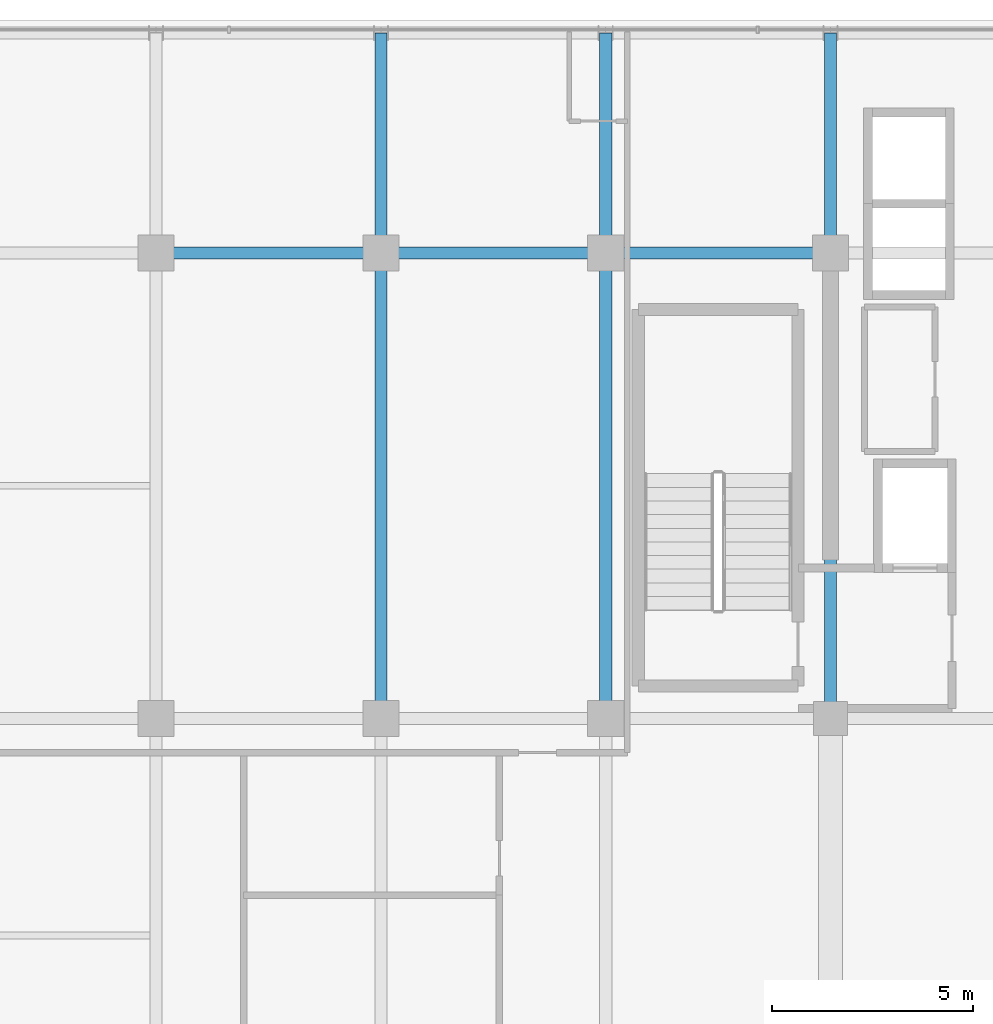
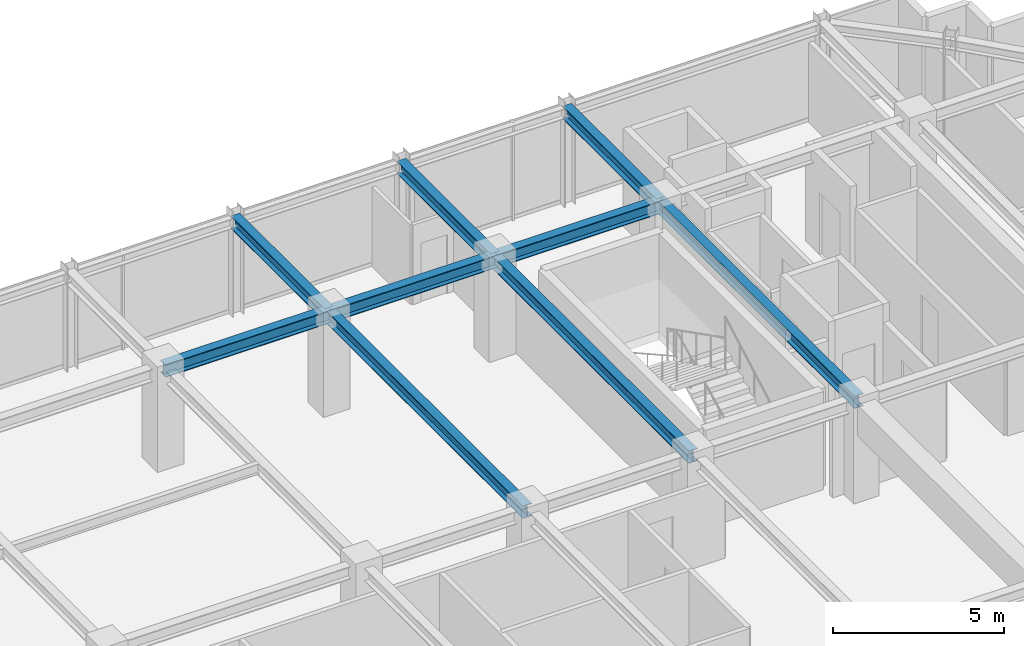
# One storey, part 18 of 32: 9 beams.
"""IFC4 building model written with IfcOpenShell, lengths in metres."""

import ifcopenshell
import ifcopenshell.guid

model = None  # the IFC model being written
_history = None  # IfcOwnerHistory: only IFC2X3 demands one
_inside = {}  # id of a spatial element -> (the spatial element, [elements in it])
_under = {}  # id of a project, library or spatial element -> (it, [spatial elements below it])
_declared = {}  # id of a project -> (the project, [libraries it declares])
_typed = {}  # id of a type object -> (the type object, [elements of that type])
_made_of = {}  # id of a material, layer set ... -> (it, [elements and type objects made of it])


def new_model(schema):
    """Start an empty IFC model of exactly this schema.

    Asked for "IFC4X3", IfcOpenShell would pick the latest addendum, in which some entities
    have other attributes; the version numbers below select the first issue.
    IFC2X3 requires an IfcOwnerHistory on every rooted entity: one is made here for all.
    """
    global model, _history
    if schema == "IFC4X3":
        model = ifcopenshell.file(schema_version=(4, 3, 0, 0))
    else:
        model = ifcopenshell.file(schema=schema)
    _inside.clear()
    _under.clear()
    _declared.clear()
    _typed.clear()
    _made_of.clear()
    _history = None
    if model.schema == "IFC2X3":
        org = make("IfcOrganization", Name="unknown")
        user = make(
            "IfcPersonAndOrganization",
            ThePerson=make("IfcPerson", FamilyName="unknown"),
            TheOrganization=org,
        )
        app = make(
            "IfcApplication",
            ApplicationDeveloper=org,
            Version="unknown",
            ApplicationFullName="unknown",
            ApplicationIdentifier="unknown",
        )
        _history = make(
            "IfcOwnerHistory",
            OwningUser=user,
            OwningApplication=app,
            ChangeAction="ADDED",
            CreationDate=0,
        )
    return model


def make(cls, **values):
    """One entity of the class cls with the attributes given. An attribute that is None is left unset."""
    return model.create_entity(
        cls, **{name: value for name, value in values.items() if value is not None}
    )


def rooted(cls, **values):
    """An entity with a GlobalId (a new one), such as an element, a storey or a relation."""
    return make(cls, GlobalId=ifcopenshell.guid.new(), OwnerHistory=_history, **values)


def si_unit(unit_type, name, prefix=None):
    """IfcSIUnit, for example si_unit("LENGTHUNIT", "METRE", prefix="MILLI")."""
    return make("IfcSIUnit", UnitType=unit_type, Prefix=prefix, Name=name)


def assignment(units):
    """IfcUnitAssignment: the units of a project."""
    return None if units is None else make("IfcUnitAssignment", Units=units)


def point(xyz):
    """IfcCartesianPoint."""
    return None if xyz is None else make("IfcCartesianPoint", Coordinates=xyz)


def direction(xyz):
    """IfcDirection."""
    return None if xyz is None else make("IfcDirection", DirectionRatios=xyz)


def frame(location, z_axis=None, x_axis=None):
    """IfcAxis2Placement3D, a coordinate frame: its origin and axes. An axis left out is left unset."""
    return make(
        "IfcAxis2Placement3D",
        Location=point(location),
        Axis=direction(z_axis),
        RefDirection=direction(x_axis),
    )


def frame_2d(location, x_axis=None):
    """IfcAxis2Placement2D, a coordinate frame in the plane: its origin and x axis."""
    return make(
        "IfcAxis2Placement2D", Location=point(location), RefDirection=direction(x_axis)
    )


def origin():
    """The frame at (0, 0, 0) with its axes left unset."""
    return frame((0.0, 0.0, 0.0))


def origin_2d():
    """The frame at (0, 0) in the plane with its x axis left unset."""
    return frame_2d((0.0, 0.0))


def place(relative_to, where):
    """IfcLocalPlacement: puts the frame where relative to a parent placement (None: the world)."""
    return make(
        "IfcLocalPlacement", PlacementRelTo=relative_to, RelativePlacement=where
    )


def context(
    kind, dimensions, precision=None, world=None, true_north=None, identifier=None
):
    """IfcGeometricRepresentationContext, for example the 3D "Model" context."""
    return make(
        "IfcGeometricRepresentationContext",
        ContextIdentifier=identifier,
        ContextType=kind,
        CoordinateSpaceDimension=dimensions,
        Precision=precision,
        WorldCoordinateSystem=world,
        TrueNorth=true_north,
    )


def subcontext(parent, identifier, kind, view, scale=None):
    """IfcGeometricRepresentationSubContext, for example "Body" below "Model"."""
    return make(
        "IfcGeometricRepresentationSubContext",
        ContextIdentifier=identifier,
        ContextType=kind,
        ParentContext=parent,
        TargetScale=scale,
        TargetView=view,
    )


def project(units=None, contexts=None):
    """IfcProject with its units and contexts."""
    return rooted(
        "IfcProject",
        Name="project",
        RepresentationContexts=contexts,
        UnitsInContext=assignment(units),
    )


def spatial(cls, under=None, at=None, **own):
    """A site, building, storey or space (cls), placed at a placement, below another one or the project."""
    s = rooted(cls, ObjectPlacement=at, **own)
    if under is not None:
        _under.setdefault(under.id(), (under, []))[1].append(s)
    return s


def profile(cls, at=None, kind="AREA", **sizes):
    """A parametric profile (cls). Its sizes go by their IFC names, for example OverallWidth=200.0."""
    return make(cls, ProfileType=kind, Position=at, **sizes)


def i_section(**sizes):
    """IfcIShapeProfileDef."""
    return profile("IfcIShapeProfileDef", **sizes)


def extrude(swept, where, along, depth):
    """IfcExtrudedAreaSolid: the profile swept, set in the frame where, extruded along a direction by depth."""
    return make(
        "IfcExtrudedAreaSolid",
        SweptArea=swept,
        Position=where,
        ExtrudedDirection=direction(along),
        Depth=depth,
    )


def shape(context_of_items, identifier, shape_type, items):
    """IfcShapeRepresentation: the items that make up one representation, for example the "Body"."""
    return make(
        "IfcShapeRepresentation",
        ContextOfItems=context_of_items,
        RepresentationIdentifier=identifier,
        RepresentationType=shape_type,
        Items=items,
    )


def source(mapping_origin, context_of_items, identifier, shape_type, items):
    """IfcRepresentationMap: a shape defined once, which mapped items show again and again."""
    return make(
        "IfcRepresentationMap",
        MappingOrigin=mapping_origin,
        MappedRepresentation=shape(context_of_items, identifier, shape_type, items),
    )


def transform(
    local_origin,
    x_axis=None,
    y_axis=None,
    z_axis=None,
    scale=None,
    scale2=None,
    scale3=None,
    uniform=True,
):
    """IfcCartesianTransformationOperator3D, or its non-uniform kind. x_axis, y_axis, z_axis: its Axis1, 2, 3."""
    if uniform:
        return make(
            "IfcCartesianTransformationOperator3D",
            Axis1=direction(x_axis),
            Axis2=direction(y_axis),
            LocalOrigin=point(local_origin),
            Scale=scale,
            Axis3=direction(z_axis),
        )
    return make(
        "IfcCartesianTransformationOperator3DnonUniform",
        Axis1=direction(x_axis),
        Axis2=direction(y_axis),
        LocalOrigin=point(local_origin),
        Scale=scale,
        Axis3=direction(z_axis),
        Scale2=scale2,
        Scale3=scale3,
    )


def mapped(mapping_source, mapping_target):
    """IfcMappedItem: shows the shape of a source again, moved by a transform."""
    return make(
        "IfcMappedItem", MappingSource=mapping_source, MappingTarget=mapping_target
    )


def material(Name=None, Category=None):
    """IfcMaterial."""
    return make("IfcMaterial", Name=Name, Category=Category)


def material_profile(
    of_material, cross_section, Name=None, Category=None, Priority=None
):
    """IfcMaterialProfile: a cross section and its material."""
    return make(
        "IfcMaterialProfile",
        Name=Name,
        Material=of_material,
        Profile=cross_section,
        Priority=Priority,
        Category=Category,
    )


def profile_set(profiles, Name=None, composite=None):
    """IfcMaterialProfileSet."""
    return make(
        "IfcMaterialProfileSet",
        Name=Name,
        MaterialProfiles=profiles,
        CompositeProfile=composite,
    )


def made_of(thing, what):
    """Note that an element or type object is made of a material, layer set ...; save() writes the relation."""
    if what is not None:
        _made_of.setdefault(what.id(), (what, []))[1].append(thing)
    return thing


def type_object(cls, material=None, **own):
    """A type object (cls), such as IfcWallType, which elements share."""
    return made_of(rooted(cls, **own), material)


def element(
    cls,
    number,
    at=None,
    inside=None,
    cuts=None,
    type_object=None,
    material=None,
    context=None,
    identifier="Body",
    shape_type=None,
    held_by="IfcProductDefinitionShape",
    body=None,
    shapes=None,
    **own,
):
    """One element of the class cls, such as IfcWall. Its Tag is "e" and its number.

    at: its placement. inside: the storey or other place that contains it. cuts: it is an
    opening in that element (IfcRelVoidsElement). A single representation is given by context,
    identifier, shape_type and body (its items); several are given by shapes. held_by: the class
    of the entity that holds the representations. save() writes the other relations.
    """
    e = rooted(cls, Tag="e%d" % number, ObjectPlacement=at, **own)
    if body is not None:
        shapes = [shape(context, identifier, shape_type, body)]
    if shapes is not None:
        e.Representation = make(held_by, Representations=shapes)
    if inside is not None:
        _inside.setdefault(inside.id(), (inside, []))[1].append(e)
    if cuts is not None:
        rooted(
            "IfcRelVoidsElement", RelatingBuildingElement=cuts, RelatedOpeningElement=e
        )
    if type_object is not None:
        _typed.setdefault(type_object.id(), (type_object, []))[1].append(e)
    return made_of(e, material)


def aggregate(whole, parts):
    """IfcRelAggregates: a whole, such as a stair, and the parts it consists of."""
    return rooted("IfcRelAggregates", RelatingObject=whole, RelatedObjects=parts)


def save(model, path):
    """Write the relations noted so far, then the file.

    IfcRelAggregates (storeys below a building ...), IfcRelContainedInSpatialStructure (elements
    in a storey), IfcRelDefinesByType, IfcRelAssociatesMaterial and IfcRelDeclares: one each for
    every whole, place, type object, material and project.
    """
    for whole, parts in _under.values():
        aggregate(whole, parts)
    for where, things in _inside.values():
        rooted(
            "IfcRelContainedInSpatialStructure",
            RelatedElements=things,
            RelatingStructure=where,
        )
    for kind, things in _typed.values():
        rooted("IfcRelDefinesByType", RelatedObjects=things, RelatingType=kind)
    for what, things in _made_of.values():
        rooted("IfcRelAssociatesMaterial", RelatedObjects=things, RelatingMaterial=what)
    for by, libraries in _declared.values():
        rooted("IfcRelDeclares", RelatingContext=by, RelatedDefinitions=libraries)
    model.write(path)


model = new_model("IFC4")

# Units and contexts
model_context = context("Model", 3, precision=1e-05, world=origin(), true_north=direction((0.0, 1.0)))
body_context = subcontext(model_context, "Body", "Model", "MODEL_VIEW")
ifc_project = project(units=[si_unit("LENGTHUNIT", "METRE"), si_unit("AREAUNIT", "SQUARE_METRE"), si_unit("VOLUMEUNIT", "CUBIC_METRE"), si_unit("PLANEANGLEUNIT", "RADIAN"), si_unit("MASSUNIT", "GRAM", prefix="KILO")], contexts=[model_context])

# Site, building, storey
site_placement = place(None, origin())
site = spatial("IfcSite", under=ifc_project, at=site_placement, CompositionType="ELEMENT")
building_placement = place(site_placement, origin())
building = spatial("IfcBuilding", under=site, at=building_placement, Name="Nahalor Promenade Grand Hotel", CompositionType="ELEMENT")
storey_placement = place(building_placement, frame((0.0, 0.0, 330.949951171875)))
storey = spatial("IfcBuildingStorey", under=building, at=storey_placement, Name="L85", CompositionType="ELEMENT", Elevation=330.949951171875)

# Beams
ifc_material = material(Name="Steel S355JR", Category="steel")
ifc_material_profile = material_profile(ifc_material, i_section(OverallWidth=0.3, OverallDepth=0.45, WebThickness=0.014, FlangeThickness=0.026, at=origin_2d()), Name="HEB 450")
ifc_profile_set = profile_set([ifc_material_profile], Name="Steel S355JR")
beam_type = type_object("IfcBeamType", Name="Beam-Girder-HEB450", PredefinedType="BEAM", material=ifc_profile_set)
shared_shape_1 = source(origin(), body_context, "Body", "SweptSolid", [
    extrude(i_section(OverallWidth=0.3, OverallDepth=0.45, WebThickness=0.014, FlangeThickness=0.026, at=origin_2d()), origin(), (0.0, 0.0, 1.0), 5.599853515625),
])
for number, where, z_axis, x_axis, name in (
    (1, (-8.39990234375, 17.0, 3.275146484375), (1.0, 0.0, 0.0), (0.0, 1.0, 0.0), "BM-L85-GX-3-2"),
    (2, (2.800048828125, 17.0, 3.275146484375), (1.0, 0.0, 0.0), (0.0, 1.0, 0.0), "BM-L85-GX-3-4"),
):
    element("IfcBeam", number, at=place(storey_placement, frame(where, z_axis=z_axis, x_axis=x_axis)), inside=storey, type_object=beam_type, Name=name, PredefinedType="BEAM", context=body_context, shape_type="MappedRepresentation", body=[
        mapped(shared_shape_1, transform((0.0, 0.0, 0.0), scale=1.0)),
    ])
shared_shape_2 = source(origin(), body_context, "Body", "SweptSolid", [
    extrude(i_section(OverallWidth=0.3, OverallDepth=0.45, WebThickness=0.014, FlangeThickness=0.026, at=origin_2d()), origin(), (0.0, 0.0, 1.0), 5.60009765625),
])
beam_placement = place(storey_placement, frame((-2.800048828125, 17.0, 3.275146484375), z_axis=(1.0, 0.0, 0.0), x_axis=(0.0, 1.0, 0.0)))
element("IfcBeam", 3, at=beam_placement, inside=storey, type_object=beam_type, Name="BM-L85-GX-3-3", PredefinedType="BEAM", context=body_context, shape_type="MappedRepresentation", body=[
    mapped(shared_shape_2, transform((0.0, 0.0, 0.0), scale=1.0)),
])
shared_shape_3 = source(origin(), body_context, "Body", "SweptSolid", [
    extrude(i_section(OverallWidth=0.3, OverallDepth=0.45, WebThickness=0.014, FlangeThickness=0.026, at=origin_2d()), origin(), (0.0, 0.0, 1.0), 11.60009765625),
])
for number, where, z_axis, x_axis, name in (
    (4, (-2.800048828125, 5.39990234375, 3.275146484375), (0.0, 1.0, 0.0), (-1.0, 0.0, 0.0), "BM-L85-GY-2-3"),
    (5, (2.800048828125, 5.39990234375, 3.275146484375), (0.0, 1.0, 0.0), (-1.0, 0.0, 0.0), "BM-L85-GY-3-3"),
    (6, (8.39990234375, 5.39990234375, 3.275146484375), (0.0, 1.0, 0.0), (-1.0, 0.0, 0.0), "BM-L85-GY-4-3"),
):
    element("IfcBeam", number, at=place(storey_placement, frame(where, z_axis=z_axis, x_axis=x_axis)), inside=storey, type_object=beam_type, Name=name, PredefinedType="BEAM", context=body_context, shape_type="MappedRepresentation", body=[
        mapped(shared_shape_3, transform((0.0, 0.0, 0.0), scale=1.0)),
    ])
shared_shape_4 = source(origin(), body_context, "Body", "SweptSolid", [
    extrude(i_section(OverallWidth=0.3, OverallDepth=0.45, WebThickness=0.014, FlangeThickness=0.026, at=origin_2d()), origin(), (0.0, 0.0, 1.0), 5.47998046875),
])
for number, where, z_axis, x_axis, name in (
    (7, (-2.800048828125, 17.0, 3.275146484375), (0.0, 1.0, 0.0), (-1.0, 0.0, 0.0), "BM-L85-GY-2-4"),
    (8, (2.800048828125, 17.0, 3.275146484375), (0.0, 1.0, 0.0), (-1.0, 0.0, 0.0), "BM-L85-GY-3-4"),
    (9, (8.39990234375, 17.0, 3.275146484375), (0.0, 1.0, 0.0), (-1.0, 0.0, 0.0), "BM-L85-GY-4-4"),
):
    element("IfcBeam", number, at=place(storey_placement, frame(where, z_axis=z_axis, x_axis=x_axis)), inside=storey, type_object=beam_type, Name=name, PredefinedType="BEAM", context=body_context, shape_type="MappedRepresentation", body=[
        mapped(shared_shape_4, transform((0.0, 0.0, 0.0), scale=1.0)),
    ])

save(model, "model.ifc")
